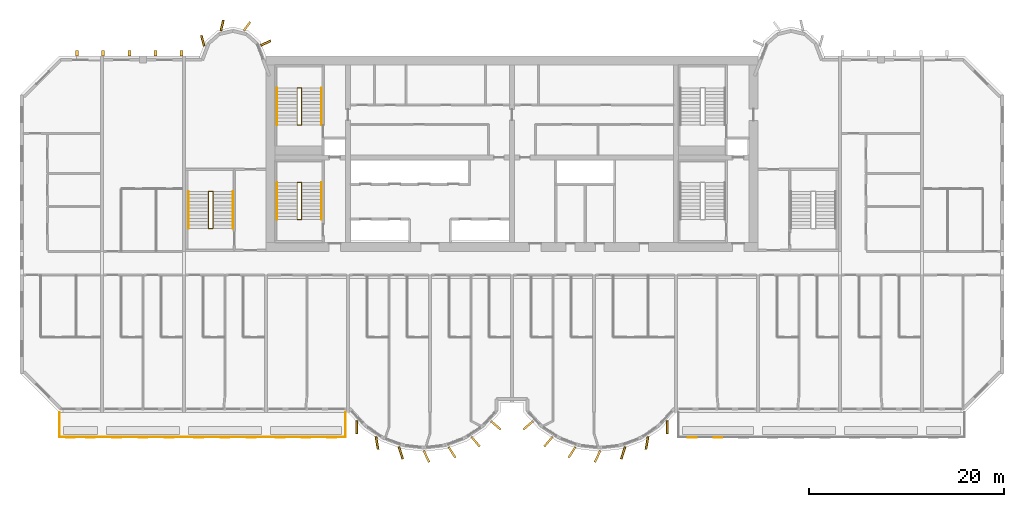
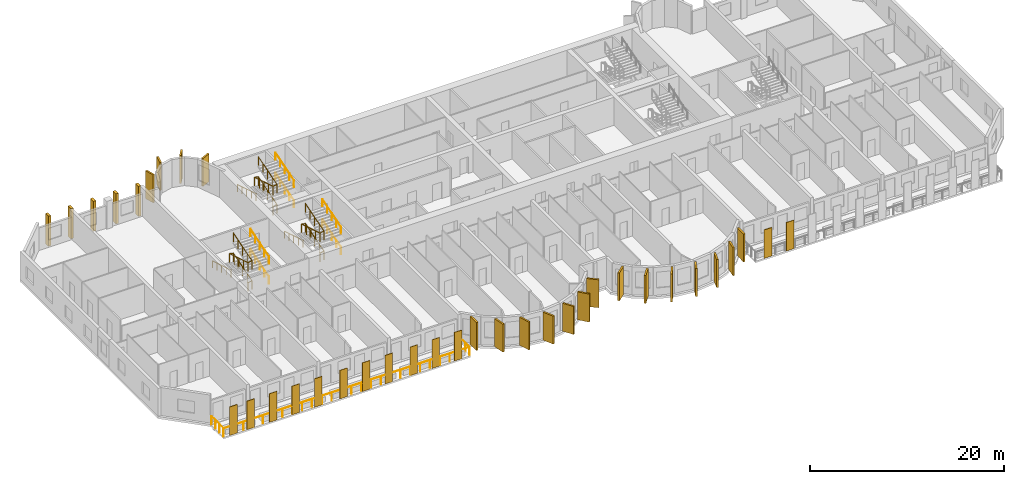
# One storey, part 12 of 14: 36 coverings, 13 railings.
"""IFC4 building model written with IfcOpenShell, lengths in metres."""

from ifc_helpers import new_model, si_unit, direction, frame, origin, origin_2d, place, context, subcontext, project, spatial, rectangle, circle, extrude, source, transform, mapped, material, layer, layer_set, material_profile, profile_set, type_object, element, save


model = new_model("IFC4")

# Units and contexts
model_context = context("Model", 3, precision=1e-05, world=origin(), true_north=direction((0.0, 1.0)))
body_context = subcontext(model_context, "Body", "Model", "MODEL_VIEW")
ifc_project = project(units=[si_unit("LENGTHUNIT", "METRE"), si_unit("AREAUNIT", "SQUARE_METRE"), si_unit("VOLUMEUNIT", "CUBIC_METRE"), si_unit("PLANEANGLEUNIT", "RADIAN"), si_unit("MASSUNIT", "GRAM", prefix="KILO")], contexts=[model_context])

# Site, building, storey
site_placement = place(None, origin())
site = spatial("IfcSite", under=ifc_project, at=site_placement, CompositionType="ELEMENT")
building_placement = place(site_placement, origin())
building = spatial("IfcBuilding", under=site, at=building_placement, Name="Vanashikhar Sky Hotel", CompositionType="ELEMENT")
storey_placement = place(building_placement, frame((0.0, 0.0, 129.39990234375)))
storey = spatial("IfcBuildingStorey", under=building, at=storey_placement, Name="L31", CompositionType="ELEMENT", Elevation=129.39990234375)

# Railing
ifc_material_1 = material(Name="Stainless steel 316", Category="steel")
railing_type_1 = type_object("IfcRailingType", Name="Balcony guard 1100", PredefinedType="GUARDRAIL", material=ifc_material_1)
shared_shape_1 = source(origin(), body_context, "Body", "SweptSolid", [
    extrude(circle(Radius=0.02392578125, at=origin_2d()), frame((0.0, 0.0, 1.076171875), z_axis=(0.0, -1.0, 0.0), x_axis=(1.0, 0.0, 0.0)), (0.0, 0.0, 1.0), 2.5),
    extrude(circle(Radius=0.02392578125, at=origin_2d()), frame((0.0, -2.5, 1.076171875), z_axis=(1.0, 0.0, 0.0), x_axis=(0.0, 1.0, 0.0)), (0.0, 0.0, 1.0), 29.280029296875),
    extrude(circle(Radius=0.02392578125, at=origin_2d()), frame((29.280029296875, -2.5, 1.076171875), z_axis=(0.0, 1.0, 0.0), x_axis=(-1.0, 0.0, 0.0)), (0.0, 0.0, 1.0), 2.5),
    extrude(circle(Radius=0.02099609375, at=origin_2d()), origin(), (0.0, 0.0, 1.0), 1.052001953125),
    extrude(circle(Radius=0.02099609375, at=origin_2d()), frame((0.0, -0.833251953125, 0.0)), (0.0, 0.0, 1.0), 1.052001953125),
    extrude(circle(Radius=0.02099609375, at=origin_2d()), frame((0.0, -1.666748046875, 0.0)), (0.0, 0.0, 1.0), 1.052001953125),
    extrude(circle(Radius=0.02099609375, at=origin_2d()), frame((0.0, -2.5, 0.0)), (0.0, 0.0, 1.0), 1.052001953125),
    extrude(circle(Radius=0.02099609375, at=origin_2d()), frame((1.171142578125, -2.5, 0.0)), (0.0, 0.0, 1.0), 1.052001953125),
    extrude(circle(Radius=0.02099609375, at=origin_2d()), frame((2.34228515625, -2.5, 0.0)), (0.0, 0.0, 1.0), 1.052001953125),
    extrude(circle(Radius=0.02099609375, at=origin_2d()), frame((3.513671875, -2.5, 0.0)), (0.0, 0.0, 1.0), 1.052001953125),
    extrude(circle(Radius=0.02099609375, at=origin_2d()), frame((4.684814453125, -2.5, 0.0)), (0.0, 0.0, 1.0), 1.052001953125),
    extrude(circle(Radius=0.02099609375, at=origin_2d()), frame((5.85595703125, -2.5, 0.0)), (0.0, 0.0, 1.0), 1.052001953125),
    extrude(circle(Radius=0.02099609375, at=origin_2d()), frame((7.027099609375, -2.5, 0.0)), (0.0, 0.0, 1.0), 1.052001953125),
    extrude(circle(Radius=0.02099609375, at=origin_2d()), frame((8.198486328125, -2.5, 0.0)), (0.0, 0.0, 1.0), 1.052001953125),
    extrude(circle(Radius=0.02099609375, at=origin_2d()), frame((9.36962890625, -2.5, 0.0)), (0.0, 0.0, 1.0), 1.052001953125),
    extrude(circle(Radius=0.02099609375, at=origin_2d()), frame((10.540771484375, -2.5, 0.0)), (0.0, 0.0, 1.0), 1.052001953125),
    extrude(circle(Radius=0.02099609375, at=origin_2d()), frame((11.7119140625, -2.5, 0.0)), (0.0, 0.0, 1.0), 1.052001953125),
    extrude(circle(Radius=0.02099609375, at=origin_2d()), frame((12.88330078125, -2.5, 0.0)), (0.0, 0.0, 1.0), 1.052001953125),
    extrude(circle(Radius=0.02099609375, at=origin_2d()), frame((14.054443359375, -2.5, 0.0)), (0.0, 0.0, 1.0), 1.052001953125),
    extrude(circle(Radius=0.02099609375, at=origin_2d()), frame((15.2255859375, -2.5, 0.0)), (0.0, 0.0, 1.0), 1.052001953125),
    extrude(circle(Radius=0.02099609375, at=origin_2d()), frame((16.396728515625, -2.5, 0.0)), (0.0, 0.0, 1.0), 1.052001953125),
    extrude(circle(Radius=0.02099609375, at=origin_2d()), frame((17.568115234375, -2.5, 0.0)), (0.0, 0.0, 1.0), 1.052001953125),
    extrude(circle(Radius=0.02099609375, at=origin_2d()), frame((18.7392578125, -2.5, 0.0)), (0.0, 0.0, 1.0), 1.052001953125),
    extrude(circle(Radius=0.02099609375, at=origin_2d()), frame((19.910400390625, -2.5, 0.0)), (0.0, 0.0, 1.0), 1.052001953125),
    extrude(circle(Radius=0.02099609375, at=origin_2d()), frame((21.08154296875, -2.5, 0.0)), (0.0, 0.0, 1.0), 1.052001953125),
    extrude(circle(Radius=0.02099609375, at=origin_2d()), frame((22.2529296875, -2.5, 0.0)), (0.0, 0.0, 1.0), 1.052001953125),
    extrude(circle(Radius=0.02099609375, at=origin_2d()), frame((23.424072265625, -2.5, 0.0)), (0.0, 0.0, 1.0), 1.052001953125),
    extrude(circle(Radius=0.02099609375, at=origin_2d()), frame((24.59521484375, -2.5, 0.0)), (0.0, 0.0, 1.0), 1.052001953125),
    extrude(circle(Radius=0.02099609375, at=origin_2d()), frame((25.766357421875, -2.5, 0.0)), (0.0, 0.0, 1.0), 1.052001953125),
    extrude(circle(Radius=0.02099609375, at=origin_2d()), frame((26.937744140625, -2.5, 0.0)), (0.0, 0.0, 1.0), 1.052001953125),
    extrude(circle(Radius=0.02099609375, at=origin_2d()), frame((28.10888671875, -2.5, 0.0)), (0.0, 0.0, 1.0), 1.052001953125),
    extrude(circle(Radius=0.02099609375, at=origin_2d()), frame((29.280029296875, -2.5, 0.0)), (0.0, 0.0, 1.0), 1.052001953125),
    extrude(circle(Radius=0.02099609375, at=origin_2d()), frame((29.280029296875, -1.666748046875, 0.0)), (0.0, 0.0, 1.0), 1.052001953125),
    extrude(circle(Radius=0.02099609375, at=origin_2d()), frame((29.280029296875, -0.833251953125, 0.0)), (0.0, 0.0, 1.0), 1.052001953125),
    extrude(circle(Radius=0.02099609375, at=origin_2d()), frame((29.280029296875, 0.0, 0.0)), (0.0, 0.0, 1.0), 1.052001953125),
])
railing_1_placement = place(storey_placement, frame((4.06005859375, 5.5, -0.0498046875)))
element("IfcRailing", 1, at=railing_1_placement, inside=storey, type_object=railing_type_1, Name="Balcony guard", PredefinedType="GUARDRAIL", context=body_context, shape_type="MappedRepresentation", body=[
    mapped(shared_shape_1, transform((0.0, 0.0, 0.0), scale=1.0)),
])

# Coverings
ifc_material_2 = material(Name="Terracotta", Category="masonry")
ifc_layer = layer(ifc_material_2, 0.06005859375)
ifc_layer_set = layer_set([ifc_layer], Name="Terracotta baguette screen")
covering_type_1 = type_object("IfcCoveringType", Name="Terracotta baguette screen", PredefinedType="CLADDING", material=ifc_layer_set)
shared_shape_2 = source(origin(), body_context, "Body", "SweptSolid", [
    extrude(rectangle(XDim=0.89990234375, YDim=0.06005859375, at=origin_2d()), origin(), (0.0, 0.0, 1.0), 3.60009765625),
])
for number, where, z_axis, x_axis, name in (
    (2, (5.175048828125, 2.929931640625, -0.050048828125), (0.0, 0.0, 1.0), (1.0, 0.0, 0.0), "Terracotta screen"),
    (3, (7.22509765625, 2.929931640625, -0.050048828125), (0.0, 0.0, 1.0), (1.0, 0.0, 0.0), "Terracotta screen"),
    (4, (9.89990234375, 2.929931640625, -0.050048828125), (0.0, 0.0, 1.0), (1.0, 0.0, 0.0), "Terracotta screen"),
    (5, (12.60009765625, 2.929931640625, -0.050048828125), (0.0, 0.0, 1.0), (1.0, 0.0, 0.0), "Terracotta screen"),
    (6, (15.300048828125, 2.929931640625, -0.050048828125), (0.0, 0.0, 1.0), (1.0, 0.0, 0.0), "Terracotta screen"),
    (7, (18.300048828125, 2.929931640625, -0.050048828125), (0.0, 0.0, 1.0), (1.0, 0.0, 0.0), "Terracotta screen"),
    (8, (21.0, 2.929931640625, -0.050048828125), (0.0, 0.0, 1.0), (1.0, 0.0, 0.0), "Terracotta screen"),
    (9, (23.699951171875, 2.929931640625, -0.050048828125), (0.0, 0.0, 1.0), (1.0, 0.0, 0.0), "Terracotta screen"),
    (10, (26.666748046875, 2.929931640625, -0.050048828125), (0.0, 0.0, 1.0), (1.0, 0.0, 0.0), "Terracotta screen"),
    (11, (29.300048828125, 2.929931640625, -0.050048828125), (0.0, 0.0, 1.0), (1.0, 0.0, 0.0), "Terracotta screen"),
    (12, (31.933349609375, 2.929931640625, -0.050048828125), (0.0, 0.0, 1.0), (1.0, 0.0, 0.0), "Terracotta screen"),
    (13, (68.86669921875, 2.929931640625, -0.050048828125), (0.0, 0.0, 1.0), (1.0, 0.0, 0.0), "Terracotta screen"),
    (14, (71.5, 2.929931640625, -0.050048828125), (0.0, 0.0, 1.0), (1.0, 0.0, 0.0), "Terracotta screen"),
):
    element("IfcCovering", number, at=place(storey_placement, frame(where, z_axis=z_axis, x_axis=x_axis)), inside=storey, type_object=covering_type_1, Name=name, PredefinedType="CLADDING", context=body_context, shape_type="MappedRepresentation", body=[
        mapped(shared_shape_2, transform((0.0, 0.0, 0.0), scale=1.0)),
    ])
ifc_material_3 = material(Name="Concrete M60 dark", Category="concrete")
ifc_material_profile_1 = material_profile(ifc_material_3, rectangle(XDim=1.300048828125, YDim=0.199951171875, at=origin_2d()))
ifc_profile_set_1 = profile_set([ifc_material_profile_1], Name="Fin 1300 x 200")
covering_type_2 = type_object("IfcCoveringType", Name="Fin 1300 x 200", PredefinedType="CLADDING", material=ifc_profile_set_1)
shared_shape_3 = source(origin(), body_context, "Body", "SweptSolid", [
    extrude(rectangle(XDim=1.300048828125, YDim=0.199951171875, at=origin_2d()), origin(), (0.0, 0.0, 1.0), 3.52001953125),
])
for number, where, z_axis, x_axis, name in (
    (15, (34.482421875, 3.992919921875, 0.0), (0.0, 0.0, 1.0), (0.011588726826, -0.999932848451, 0.0), "Fin F1-1"),
    (16, (36.572509765625, 2.3779296875, 0.0), (0.0, 0.0, 1.0), (0.16989991575, -0.985461322746, 0.0), "Fin F1-2"),
    (17, (39.00830078125, 1.35693359375, 0.0), (0.0, 0.0, 1.0), (0.303966551867, -0.952682704444, 0.0), "Fin F1-3"),
    (18, (41.63232421875, 1.00146484375, 0.0), (0.0, 0.0, 1.0), (0.422618261741, -0.906307787037, 0.0), "Fin F1-4"),
    (19, (44.251953125, 1.416015625, 0.0), (0.0, 0.0, 1.0), (0.534411358496, -0.845224526331, 0.0), "Fin F1-5"),
    (20, (46.676025390625, 2.5, 0.0), (0.0, 0.0, 1.0), (0.645697609467, -0.763593214433, 0.0), "Fin F1-6"),
    (21, (48.7412109375, 4.1845703125, 0.0), (0.0, 0.0, 1.0), (0.758543912032, -0.65162192529, 0.0), "Fin F1-7"),
    (22, (52.058837890625, 4.1845703125, 0.0), (0.0, 0.0, 1.0), (-0.758543912032, -0.65162192529, 0.0), "Fin F2-1"),
    (23, (54.123779296875, 2.5, 0.0), (0.0, 0.0, 1.0), (-0.645697609467, -0.763593214433, 0.0), "Fin F2-2"),
    (24, (56.547119140625, 1.416015625, 0.0), (0.0, 0.0, 1.0), (-0.534411358496, -0.845224526331, 0.0), "Fin F2-3"),
    (25, (59.16748046875, 1.00146484375, 0.0), (0.0, 0.0, 1.0), (-0.422618261741, -0.906307787037, 0.0), "Fin F2-4"),
    (26, (61.790771484375, 1.35693359375, 0.0), (0.0, 0.0, 1.0), (-0.303966551867, -0.952682704444, 0.0), "Fin F2-5"),
    (27, (64.2275390625, 2.3779296875, 0.0), (0.0, 0.0, 1.0), (-0.16989991575, -0.985461322746, 0.0), "Fin F2-6"),
    (28, (66.317626953125, 3.992919921875, 0.0), (0.0, 0.0, 1.0), (-0.011588726826, -0.999932848451, 0.0), "Fin F2-7"),
):
    element("IfcCovering", number, at=place(storey_placement, frame(where, z_axis=z_axis, x_axis=x_axis)), inside=storey, type_object=covering_type_2, Name=name, PredefinedType="CLADDING", context=body_context, shape_type="MappedRepresentation", body=[
        mapped(shared_shape_3, transform((0.0, 0.0, 0.0), scale=1.0)),
    ])
ifc_material_profile_2 = material_profile(ifc_material_3, rectangle(XDim=1.10009765625, YDim=0.199951171875, at=origin_2d()))
ifc_profile_set_2 = profile_set([ifc_material_profile_2], Name="Rear lobe fin 1100 x 200")
covering_type_3 = type_object("IfcCoveringType", Name="Rear lobe fin 1100 x 200", PredefinedType="CLADDING", material=ifc_profile_set_2)
shared_shape_4 = source(origin(), body_context, "Body", "SweptSolid", [
    extrude(rectangle(XDim=1.10009765625, YDim=0.199951171875, at=origin_2d()), origin(), (0.0, 0.0, 1.0), 3.52001953125),
])
for number, where, z_axis, x_axis, name in (
    (29, (18.720703125, 43.580078125, 0.0), (0.0, 0.0, 1.0), (-0.262711264409, 0.964874495234, 0.0), "Fin R1-1"),
    (30, (20.710205078125, 45.1455078125, 0.0), (0.0, 0.0, 1.0), (0.224644935864, 0.974440687159, 0.0), "Fin R1-2"),
    (31, (23.261962890625, 45.06640625, 0.0), (0.0, 0.0, 1.0), (0.602065892195, 0.798446404874, 0.0), "Fin R1-3"),
    (32, (25.169677734375, 43.33447265625, 0.0), (0.0, 0.0, 1.0), (0.908004291068, 0.418960866193, 0.0), "Fin R1-4"),
):
    element("IfcCovering", number, at=place(storey_placement, frame(where, z_axis=z_axis, x_axis=x_axis)), inside=storey, type_object=covering_type_3, Name=name, PredefinedType="CLADDING", context=body_context, shape_type="MappedRepresentation", body=[
        mapped(shared_shape_4, transform((0.0, 0.0, 0.0), scale=1.0)),
    ])
ifc_material_profile_3 = material_profile(ifc_material_3, rectangle(XDim=0.60009765625, YDim=0.300048828125, at=origin_2d()))
ifc_profile_set_3 = profile_set([ifc_material_profile_3], Name="Rear rib 600 x 300")
covering_type_4 = type_object("IfcCoveringType", Name="Rear rib 600 x 300", PredefinedType="CLADDING", material=ifc_profile_set_3)
shared_shape_5 = source(origin(), body_context, "Body", "SweptSolid", [
    extrude(rectangle(XDim=0.60009765625, YDim=0.300048828125, at=origin_2d()), origin(), (0.0, 0.0, 1.0), 3.7998046875),
])
for number, where, z_axis, x_axis, name in (
    (33, (5.840087890625, 42.300048828125, -0.27978515625), (0.0, 0.0, 1.0), (0.0, 1.0, 0.0), "Rear rib"),
    (34, (8.52001953125, 42.300048828125, -0.27978515625), (0.0, 0.0, 1.0), (0.0, 1.0, 0.0), "Rear rib"),
    (35, (11.199951171875, 42.300048828125, -0.27978515625), (0.0, 0.0, 1.0), (0.0, 1.0, 0.0), "Rear rib"),
    (36, (13.8798828125, 42.300048828125, -0.27978515625), (0.0, 0.0, 1.0), (0.0, 1.0, 0.0), "Rear rib"),
    (37, (16.56005859375, 42.300048828125, -0.27978515625), (0.0, 0.0, 1.0), (0.0, 1.0, 0.0), "Rear rib"),
):
    element("IfcCovering", number, at=place(storey_placement, frame(where, z_axis=z_axis, x_axis=x_axis)), inside=storey, type_object=covering_type_4, Name=name, PredefinedType="CLADDING", context=body_context, shape_type="MappedRepresentation", body=[
        mapped(shared_shape_5, transform((0.0, 0.0, 0.0), scale=1.0)),
    ])

# Railings
ifc_material_4 = material(Name="Steel S355", Category="steel")
railing_type_2 = type_object("IfcRailingType", Name="Stair handrail 900", PredefinedType="HANDRAIL", material=ifc_material_4)
shared_shape_6 = source(origin(), body_context, "Body", "SweptSolid", [
    extrude(circle(Radius=0.02392578125, at=origin_2d()), frame((0.0, 0.0, 0.8759765625), z_axis=(0.0, 0.95635109408, 0.292220096591), x_axis=(-1.0, 0.0, 0.0)), (0.0, 0.0, 1.0), 3.973388671875),
    extrude(circle(Radius=0.02099609375, at=origin_2d()), origin(), (0.0, 0.0, 1.0), 0.851806640625),
    extrude(circle(Radius=0.02099609375, at=origin_2d()), frame((0.0, 0.949951171875, 0.290283203125)), (0.0, 0.0, 1.0), 0.851806640625),
    extrude(circle(Radius=0.02099609375, at=origin_2d()), frame((0.0, 1.89990234375, 0.58056640625)), (0.0, 0.0, 1.0), 0.851806640625),
    extrude(circle(Radius=0.02099609375, at=origin_2d()), frame((0.0, 2.85009765625, 0.870849609375)), (0.0, 0.0, 1.0), 0.851806640625),
    extrude(circle(Radius=0.02099609375, at=origin_2d()), frame((0.0, 3.800048828125, 1.1611328125)), (0.0, 0.0, 1.0), 0.851806640625),
])
for number, where, name in (
    (38, (30.89990234375, 25.25, 0.105712890625), "Exit stair 1 handrail"),
    (39, (30.89990234375, 25.25, 2.638916015625), "Exit stair 1 handrail"),
    (40, (30.89990234375, 34.949951171875, 0.105712890625), "Exit stair 5 handrail"),
    (41, (30.89990234375, 34.949951171875, 2.638916015625), "Exit stair 5 handrail"),
):
    element("IfcRailing", number, at=place(storey_placement, frame(where)), inside=storey, type_object=railing_type_2, Name=name, PredefinedType="HANDRAIL", context=body_context, shape_type="MappedRepresentation", body=[
        mapped(shared_shape_6, transform((0.0, 0.0, 0.0), scale=1.0)),
    ])
shared_shape_7 = source(origin(), body_context, "Body", "SweptSolid", [
    extrude(circle(Radius=0.02392578125, at=origin_2d()), frame((0.0, 0.0, 0.8759765625), z_axis=(0.0, -0.95635109408, 0.292220096591), x_axis=(1.0, 0.0, 0.0)), (0.0, 0.0, 1.0), 3.973388671875),
    extrude(circle(Radius=0.02099609375, at=origin_2d()), origin(), (0.0, 0.0, 1.0), 0.851806640625),
    extrude(circle(Radius=0.02099609375, at=origin_2d()), frame((0.0, -0.949951171875, 0.290283203125)), (0.0, 0.0, 1.0), 0.851806640625),
    extrude(circle(Radius=0.02099609375, at=origin_2d()), frame((0.0, -1.89990234375, 0.58056640625)), (0.0, 0.0, 1.0), 0.851806640625),
    extrude(circle(Radius=0.02099609375, at=origin_2d()), frame((0.0, -2.85009765625, 0.870849609375)), (0.0, 0.0, 1.0), 0.851806640625),
    extrude(circle(Radius=0.02099609375, at=origin_2d()), frame((0.0, -3.800048828125, 1.1611328125)), (0.0, 0.0, 1.0), 0.851806640625),
])
for number, where, name in (
    (42, (26.35009765625, 29.050048828125, 1.372314453125), "Exit stair 1 handrail"),
    (43, (26.35009765625, 38.75, 1.372314453125), "Exit stair 5 handrail"),
):
    element("IfcRailing", number, at=place(storey_placement, frame(where)), inside=storey, type_object=railing_type_2, Name=name, PredefinedType="HANDRAIL", context=body_context, shape_type="MappedRepresentation", body=[
        mapped(shared_shape_7, transform((0.0, 0.0, 0.0), scale=1.0)),
    ])
railing_type_3 = type_object("IfcRailingType", Name="Stair guard 1100", PredefinedType="GUARDRAIL", material=ifc_material_4)
shared_shape_8 = source(origin(), body_context, "Body", "SweptSolid", [
    extrude(circle(Radius=0.02392578125, at=origin_2d()), frame((0.0, 0.0, 1.076171875), z_axis=(0.973520925263, 0.0, 0.228597917917), x_axis=(0.0, 1.0, 0.0)), (0.0, 0.0, 1.0), 0.46240234375),
    extrude(circle(Radius=0.02392578125, at=origin_2d()), frame((0.4501953125, 0.0, 1.181640625), z_axis=(0.0, 0.95635109408, 0.292220096591), x_axis=(-1.0, 0.0, 0.0)), (0.0, 0.0, 1.0), 3.973388671875),
    extrude(circle(Radius=0.02392578125, at=origin_2d()), frame((0.4501953125, 3.800048828125, 2.3427734375), z_axis=(-0.973638301096, 0.0, 0.228097476179), x_axis=(0.0, -1.0, 0.0)), (0.0, 0.0, 1.0), 0.46240234375),
    extrude(circle(Radius=0.02392578125, at=origin_2d()), frame((0.0, 3.800048828125, 2.4482421875), z_axis=(0.0, -0.95635109408, 0.292220096591), x_axis=(1.0, 0.0, 0.0)), (0.0, 0.0, 1.0), 3.973388671875),
    extrude(circle(Radius=0.02392578125, at=origin_2d()), frame((0.0, 0.0, 3.609375), z_axis=(0.973638301096, 0.0, 0.228097476179), x_axis=(0.0, 1.0, 0.0)), (0.0, 0.0, 1.0), 0.46240234375),
    extrude(circle(Radius=0.02392578125, at=origin_2d()), frame((0.4501953125, 0.0, 3.71484375), z_axis=(0.0, 0.95635109408, 0.292220096591), x_axis=(-1.0, 0.0, 0.0)), (0.0, 0.0, 1.0), 3.973388671875),
    extrude(circle(Radius=0.02099609375, at=origin_2d()), origin(), (0.0, 0.0, 1.0), 1.052001953125),
    extrude(circle(Radius=0.02099609375, at=origin_2d()), frame((0.4501953125, 0.0, 0.105712890625)), (0.0, 0.0, 1.0), 1.052001953125),
    extrude(circle(Radius=0.02099609375, at=origin_2d()), frame((0.4501953125, 0.949951171875, 0.39599609375)), (0.0, 0.0, 1.0), 1.052001953125),
    extrude(circle(Radius=0.02099609375, at=origin_2d()), frame((0.4501953125, 1.89990234375, 0.686279296875)), (0.0, 0.0, 1.0), 1.052001953125),
    extrude(circle(Radius=0.02099609375, at=origin_2d()), frame((0.4501953125, 2.85009765625, 0.9765625)), (0.0, 0.0, 1.0), 1.052001953125),
    extrude(circle(Radius=0.02099609375, at=origin_2d()), frame((0.4501953125, 3.800048828125, 1.266845703125)), (0.0, 0.0, 1.0), 1.052001953125),
    extrude(circle(Radius=0.02099609375, at=origin_2d()), frame((0.0, 3.800048828125, 1.372314453125)), (0.0, 0.0, 1.0), 1.052001953125),
    extrude(circle(Radius=0.02099609375, at=origin_2d()), frame((0.0, 2.85009765625, 1.66259765625)), (0.0, 0.0, 1.0), 1.052001953125),
    extrude(circle(Radius=0.02099609375, at=origin_2d()), frame((0.0, 1.89990234375, 1.952880859375)), (0.0, 0.0, 1.0), 1.052001953125),
    extrude(circle(Radius=0.02099609375, at=origin_2d()), frame((0.0, 0.949951171875, 2.2431640625)), (0.0, 0.0, 1.0), 1.052001953125),
    extrude(circle(Radius=0.02099609375, at=origin_2d()), frame((0.0, 0.0, 2.533447265625)), (0.0, 0.0, 1.0), 1.052001953125),
    extrude(circle(Radius=0.02099609375, at=origin_2d()), frame((0.4501953125, 0.0, 2.638916015625)), (0.0, 0.0, 1.0), 1.052001953125),
    extrude(circle(Radius=0.02099609375, at=origin_2d()), frame((0.4501953125, 0.949951171875, 2.92919921875)), (0.0, 0.0, 1.0), 1.052001953125),
    extrude(circle(Radius=0.02099609375, at=origin_2d()), frame((0.4501953125, 1.89990234375, 3.219482421875)), (0.0, 0.0, 1.0), 1.052001953125),
    extrude(circle(Radius=0.02099609375, at=origin_2d()), frame((0.4501953125, 2.85009765625, 3.509765625)), (0.0, 0.0, 1.0), 1.052001953125),
    extrude(circle(Radius=0.02099609375, at=origin_2d()), frame((0.4501953125, 3.800048828125, 3.800048828125)), (0.0, 0.0, 1.0), 1.052001953125),
])
for number, where, name in (
    (44, (28.39990234375, 25.25, 0.0), "Exit stair 1 guard"),
    (45, (28.39990234375, 34.949951171875, 0.0), "Exit stair 5 guard"),
):
    element("IfcRailing", number, at=place(storey_placement, frame(where)), inside=storey, type_object=railing_type_3, Name=name, PredefinedType="GUARDRAIL", context=body_context, shape_type="MappedRepresentation", body=[
        mapped(shared_shape_8, transform((0.0, 0.0, 0.0), scale=1.0)),
    ])
shared_shape_9 = source(origin(), body_context, "Body", "SweptSolid", [
    extrude(circle(Radius=0.02392578125, at=origin_2d()), frame((0.0, 0.0, 0.8759765625), z_axis=(0.0, 0.956345846891, 0.292237268557), x_axis=(-1.0, 0.0, 0.0)), (0.0, 0.0, 1.0), 3.97314453125),
    extrude(circle(Radius=0.02099609375, at=origin_2d()), origin(), (0.0, 0.0, 1.0), 0.851806640625),
    extrude(circle(Radius=0.02099609375, at=origin_2d()), frame((0.0, 0.949951171875, 0.290283203125)), (0.0, 0.0, 1.0), 0.851806640625),
    extrude(circle(Radius=0.02099609375, at=origin_2d()), frame((0.0, 1.89990234375, 0.58056640625)), (0.0, 0.0, 1.0), 0.851806640625),
    extrude(circle(Radius=0.02099609375, at=origin_2d()), frame((0.0, 2.849853515625, 0.870849609375)), (0.0, 0.0, 1.0), 0.851806640625),
    extrude(circle(Radius=0.02099609375, at=origin_2d()), frame((0.0, 3.7998046875, 1.1611328125)), (0.0, 0.0, 1.0), 0.851806640625),
])
for number, where, name in (
    (46, (21.800048828125, 24.35009765625, 0.105712890625), "Exit stair 3 handrail"),
    (47, (21.800048828125, 24.35009765625, 2.638916015625), "Exit stair 3 handrail"),
):
    element("IfcRailing", number, at=place(storey_placement, frame(where)), inside=storey, type_object=railing_type_2, Name=name, PredefinedType="HANDRAIL", context=body_context, shape_type="MappedRepresentation", body=[
        mapped(shared_shape_9, transform((0.0, 0.0, 0.0), scale=1.0)),
    ])
shared_shape_10 = source(origin(), body_context, "Body", "SweptSolid", [
    extrude(circle(Radius=0.02392578125, at=origin_2d()), frame((0.0, 0.0, 0.8759765625), z_axis=(0.0, -0.956345846891, 0.292237268557), x_axis=(1.0, 0.0, 0.0)), (0.0, 0.0, 1.0), 3.97314453125),
    extrude(circle(Radius=0.02099609375, at=origin_2d()), origin(), (0.0, 0.0, 1.0), 0.851806640625),
    extrude(circle(Radius=0.02099609375, at=origin_2d()), frame((0.0, -0.949951171875, 0.290283203125)), (0.0, 0.0, 1.0), 0.851806640625),
    extrude(circle(Radius=0.02099609375, at=origin_2d()), frame((0.0, -1.89990234375, 0.58056640625)), (0.0, 0.0, 1.0), 0.851806640625),
    extrude(circle(Radius=0.02099609375, at=origin_2d()), frame((0.0, -2.849853515625, 0.870849609375)), (0.0, 0.0, 1.0), 0.851806640625),
    extrude(circle(Radius=0.02099609375, at=origin_2d()), frame((0.0, -3.7998046875, 1.1611328125)), (0.0, 0.0, 1.0), 0.851806640625),
])
railing_2_placement = place(storey_placement, frame((17.25, 28.14990234375, 1.372314453125)))
element("IfcRailing", 48, at=railing_2_placement, inside=storey, type_object=railing_type_2, Name="Exit stair 3 handrail", PredefinedType="HANDRAIL", context=body_context, shape_type="MappedRepresentation", body=[
    mapped(shared_shape_10, transform((0.0, 0.0, 0.0), scale=1.0)),
])
shared_shape_11 = source(origin(), body_context, "Body", "SweptSolid", [
    extrude(circle(Radius=0.02392578125, at=origin_2d()), frame((0.0, 0.0, 1.076171875), z_axis=(0.973493315427, 0.0, 0.228715466945), x_axis=(0.0, 1.0, 0.0)), (0.0, 0.0, 1.0), 0.462158203125),
    extrude(circle(Radius=0.02392578125, at=origin_2d()), frame((0.449951171875, 0.0, 1.181640625), z_axis=(0.0, 0.956345846891, 0.292237268557), x_axis=(-1.0, 0.0, 0.0)), (0.0, 0.0, 1.0), 3.97314453125),
    extrude(circle(Radius=0.02392578125, at=origin_2d()), frame((0.449951171875, 3.7998046875, 2.3427734375), z_axis=(-0.973610808694, 0.0, 0.228214796178), x_axis=(0.0, -1.0, 0.0)), (0.0, 0.0, 1.0), 0.462158203125),
    extrude(circle(Radius=0.02392578125, at=origin_2d()), frame((0.0, 3.7998046875, 2.4482421875), z_axis=(0.0, -0.956345846891, 0.292237268557), x_axis=(1.0, 0.0, 0.0)), (0.0, 0.0, 1.0), 3.97314453125),
    extrude(circle(Radius=0.02392578125, at=origin_2d()), frame((0.0, 0.0, 3.609375), z_axis=(0.973610808694, 0.0, 0.228214796178), x_axis=(0.0, 1.0, 0.0)), (0.0, 0.0, 1.0), 0.462158203125),
    extrude(circle(Radius=0.02392578125, at=origin_2d()), frame((0.449951171875, 0.0, 3.71484375), z_axis=(0.0, 0.956345846891, 0.292237268557), x_axis=(-1.0, 0.0, 0.0)), (0.0, 0.0, 1.0), 3.97314453125),
    extrude(circle(Radius=0.02099609375, at=origin_2d()), origin(), (0.0, 0.0, 1.0), 1.052001953125),
    extrude(circle(Radius=0.02099609375, at=origin_2d()), frame((0.449951171875, 0.0, 0.105712890625)), (0.0, 0.0, 1.0), 1.052001953125),
    extrude(circle(Radius=0.02099609375, at=origin_2d()), frame((0.449951171875, 0.949951171875, 0.39599609375)), (0.0, 0.0, 1.0), 1.052001953125),
    extrude(circle(Radius=0.02099609375, at=origin_2d()), frame((0.449951171875, 1.89990234375, 0.686279296875)), (0.0, 0.0, 1.0), 1.052001953125),
    extrude(circle(Radius=0.02099609375, at=origin_2d()), frame((0.449951171875, 2.849853515625, 0.9765625)), (0.0, 0.0, 1.0), 1.052001953125),
    extrude(circle(Radius=0.02099609375, at=origin_2d()), frame((0.449951171875, 3.7998046875, 1.266845703125)), (0.0, 0.0, 1.0), 1.052001953125),
    extrude(circle(Radius=0.02099609375, at=origin_2d()), frame((0.0, 3.7998046875, 1.372314453125)), (0.0, 0.0, 1.0), 1.052001953125),
    extrude(circle(Radius=0.02099609375, at=origin_2d()), frame((0.0, 2.849853515625, 1.66259765625)), (0.0, 0.0, 1.0), 1.052001953125),
    extrude(circle(Radius=0.02099609375, at=origin_2d()), frame((0.0, 1.89990234375, 1.952880859375)), (0.0, 0.0, 1.0), 1.052001953125),
    extrude(circle(Radius=0.02099609375, at=origin_2d()), frame((0.0, 0.949951171875, 2.2431640625)), (0.0, 0.0, 1.0), 1.052001953125),
    extrude(circle(Radius=0.02099609375, at=origin_2d()), frame((0.0, 0.0, 2.533447265625)), (0.0, 0.0, 1.0), 1.052001953125),
    extrude(circle(Radius=0.02099609375, at=origin_2d()), frame((0.449951171875, 0.0, 2.638916015625)), (0.0, 0.0, 1.0), 1.052001953125),
    extrude(circle(Radius=0.02099609375, at=origin_2d()), frame((0.449951171875, 0.949951171875, 2.92919921875)), (0.0, 0.0, 1.0), 1.052001953125),
    extrude(circle(Radius=0.02099609375, at=origin_2d()), frame((0.449951171875, 1.89990234375, 3.219482421875)), (0.0, 0.0, 1.0), 1.052001953125),
    extrude(circle(Radius=0.02099609375, at=origin_2d()), frame((0.449951171875, 2.849853515625, 3.509765625)), (0.0, 0.0, 1.0), 1.052001953125),
    extrude(circle(Radius=0.02099609375, at=origin_2d()), frame((0.449951171875, 3.7998046875, 3.800048828125)), (0.0, 0.0, 1.0), 1.052001953125),
])
railing_3_placement = place(storey_placement, frame((19.300048828125, 24.35009765625, 0.0)))
element("IfcRailing", 49, at=railing_3_placement, inside=storey, type_object=railing_type_3, Name="Exit stair 3 guard", PredefinedType="GUARDRAIL", context=body_context, shape_type="MappedRepresentation", body=[
    mapped(shared_shape_11, transform((0.0, 0.0, 0.0), scale=1.0)),
])

save(model, "model.ifc")
